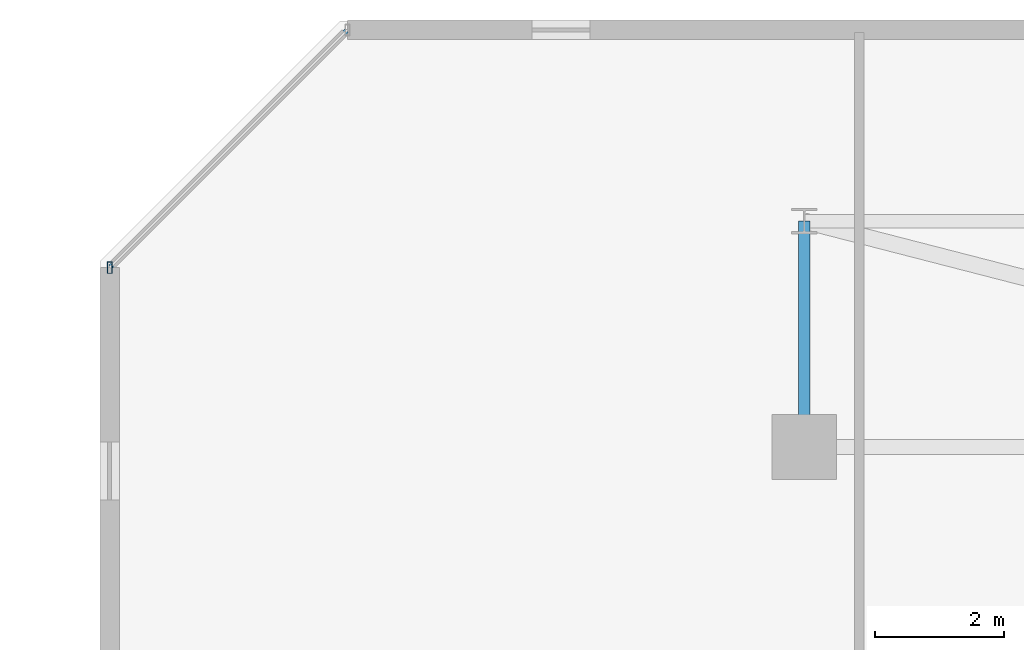
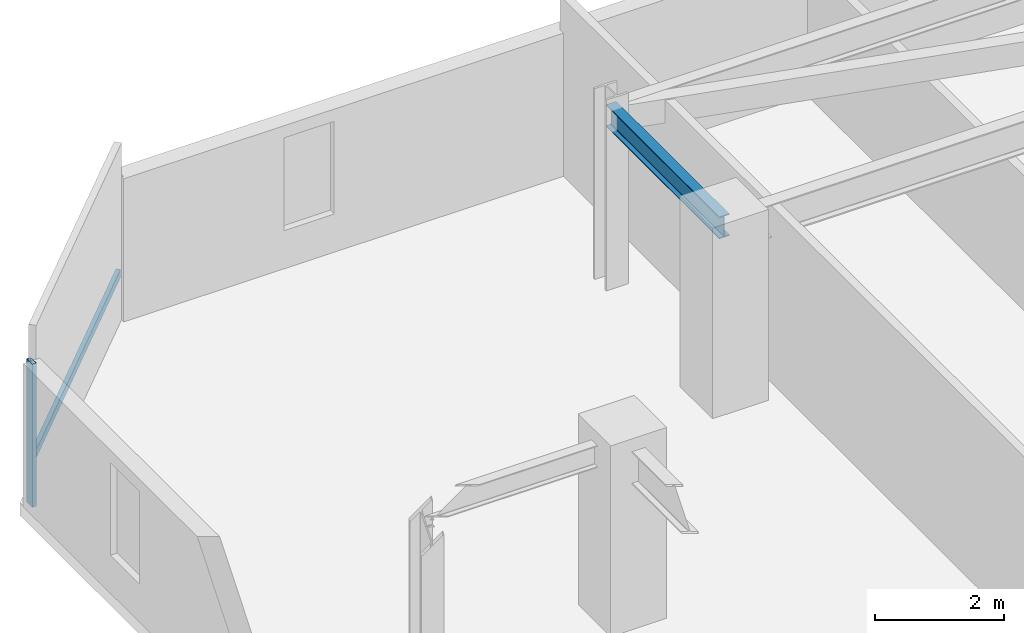
# One storey, part 7 of 33: 2 members, 1 beam, 1 element without a shape of its own.
"""IFC4 building model written with IfcOpenShell, lengths in metres."""

from ifc_helpers import new_model, si_unit, direction, frame, origin, origin_2d, place, context, subcontext, project, spatial, hollow_rectangle, i_section, extrude, material, material_profile, profile_set, type_object, element, aggregate, save


model = new_model("IFC4")

# Units and contexts
model_context = context("Model", 3, precision=1e-05, world=origin(), true_north=direction((0.0, 1.0)))
body_context = subcontext(model_context, "Body", "Model", "MODEL_VIEW")
ifc_project = project(units=[si_unit("LENGTHUNIT", "METRE"), si_unit("AREAUNIT", "SQUARE_METRE"), si_unit("VOLUMEUNIT", "CUBIC_METRE"), si_unit("PLANEANGLEUNIT", "RADIAN"), si_unit("MASSUNIT", "GRAM", prefix="KILO")], contexts=[model_context])

# Site, building, storey
site_placement = place(None, origin())
site = spatial("IfcSite", under=ifc_project, at=site_placement, CompositionType="ELEMENT")
building_placement = place(site_placement, origin())
building = spatial("IfcBuilding", under=site, at=building_placement, Name="Thornwick Lancets Civic Towers", CompositionType="ELEMENT")
storey_placement = place(building_placement, frame((0.0, 0.0, 207.300048828125)))
storey = spatial("IfcBuildingStorey", under=building, at=storey_placement, Name="L55", CompositionType="ELEMENT", Elevation=207.300048828125)

# Beam
ifc_material_1 = material(Name="Steel S355JR", Category="steel")
ifc_material_profile_1 = material_profile(ifc_material_1, i_section(OverallWidth=0.179443359375, OverallDepth=0.412841796875, WebThickness=0.009521484375, FlangeThickness=0.01611328125, FilletRadius=0.01025390625, at=origin_2d()), Name="UKB 406x178x74")
ifc_profile_set_1 = profile_set([ifc_material_profile_1], Name="Steel S355JR")
beam_type = type_object("IfcBeamType", Name="BM_JOIST_406_74", PredefinedType="JOIST", material=ifc_profile_set_1)
beam_placement = place(storey_placement, frame((12.5, 44.300048828125, 3.153564453125), z_axis=(0.0, 1.0, 0.0), x_axis=(-1.0, 0.0, 0.0)))
element("IfcBeam", 1, at=beam_placement, inside=storey, type_object=beam_type, Name="BM-RAD-L55-A07", PredefinedType="JOIST", context=body_context, shape_type="SweptSolid", body=[
    extrude(i_section(OverallWidth=0.179443359375, OverallDepth=0.412841796875, WebThickness=0.009521484375, FlangeThickness=0.01611328125, FilletRadius=0.01025390625, at=origin_2d()), origin(), (0.0, 0.0, 1.0), 3.5),
])

# Curtain wall, members
ifc_material_2 = material(Name="High-zone chamfered-corner unitised glass curtain wall", Category="glass")
curtain_wall_type = type_object("IfcCurtainWallType", Name="CW_SYS_05", PredefinedType="NOTDEFINED", material=ifc_material_2)
curtain_wall_placement = place(storey_placement, origin())
curtain_wall = element("IfcCurtainWall", 2, at=curtain_wall_placement, inside=storey, type_object=curtain_wall_type, Name="L55 Curtain Wall CW-L55-A-E5", PredefinedType="NOTDEFINED")
ifc_material_3 = material(Name="Thermally broken bronze aluminium S355", Category="steel")
ifc_material_profile_2 = material_profile(ifc_material_3, hollow_rectangle(XDim=0.074951171875, YDim=0.179931640625, WallThickness=0.006103515625, at=origin_2d()), Name="RHS 180x75x6")
ifc_profile_set_2 = profile_set([ifc_material_profile_2], Name="Thermally broken bronze aluminium S355")
member_type_1 = type_object("IfcMemberType", Name="CW_MUL_180", PredefinedType="MULLION", material=ifc_profile_set_2)
member_1_placement = place(storey_placement, frame((1.739013671875, 47.07763671875, 0.0), z_axis=(0.0, 0.0, 1.0), x_axis=(1.0, 0.0, 0.0)))
member_1 = element("IfcMember", 3, at=member_1_placement, type_object=member_type_1, Name="CW-L55-A-E5 Mullion 1", PredefinedType="MULLION", context=body_context, shape_type="SweptSolid", body=[
    extrude(hollow_rectangle(XDim=0.074951171875, YDim=0.179931640625, WallThickness=0.006103515625, at=origin_2d()), origin(), (0.0, 0.0, 1.0), 2.699951171875),
])
ifc_material_profile_3 = material_profile(ifc_material_3, hollow_rectangle(XDim=0.074951171875, YDim=0.14990234375, WallThickness=0.0048828125, at=origin_2d()), Name="RHS 150x75x5")
ifc_profile_set_3 = profile_set([ifc_material_profile_3], Name="Thermally broken bronze aluminium S355")
member_type_2 = type_object("IfcMemberType", Name="CW_TRN_150", PredefinedType="USERDEFINED", material=ifc_profile_set_3)
member_2_placement = place(storey_placement, frame((5.408203125, 50.746826171875, 0.849853515625), z_axis=(-0.707106781187, -0.707106781187, 0.0), x_axis=(0.707106781187, -0.707106781187, 0.0)))
member_2 = element("IfcMember", 4, at=member_2_placement, type_object=member_type_2, Name="CW-L55-A-E5 Transom 0", ObjectType="TRANSOM", PredefinedType="USERDEFINED", context=body_context, shape_type="SweptSolid", body=[
    extrude(hollow_rectangle(XDim=0.074951171875, YDim=0.14990234375, WallThickness=0.0048828125, at=origin_2d()), origin(), (0.0, 0.0, 1.0), 5.1689453125),
])
aggregate(curtain_wall, [member_1, member_2])

save(model, "model.ifc")
